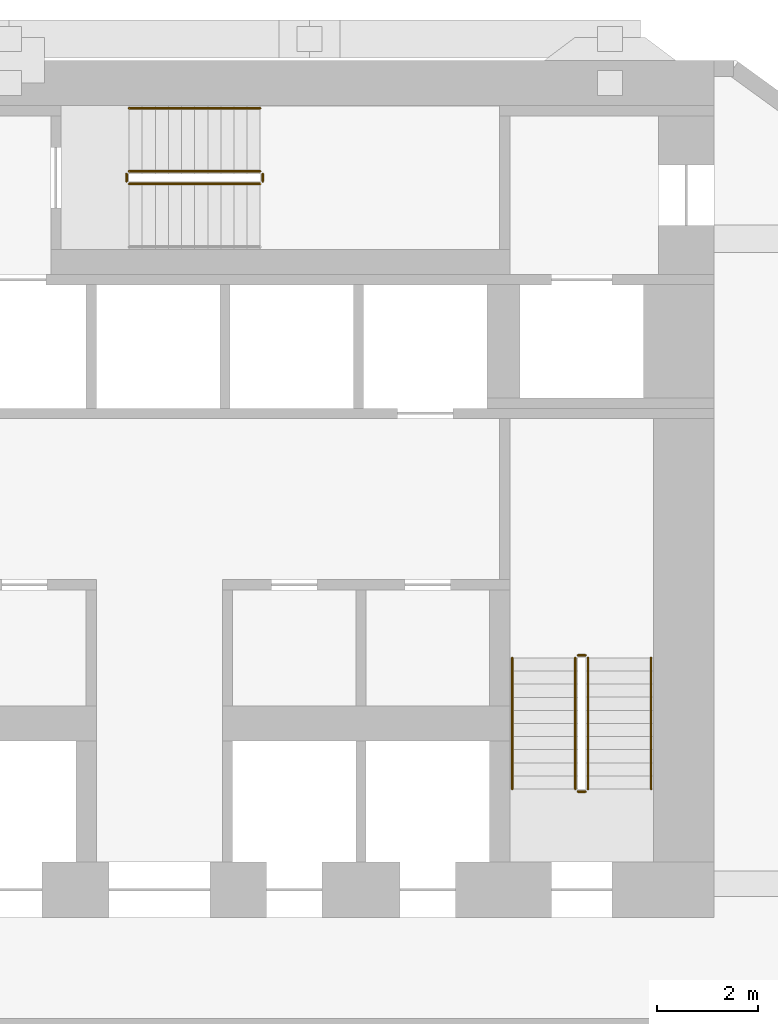
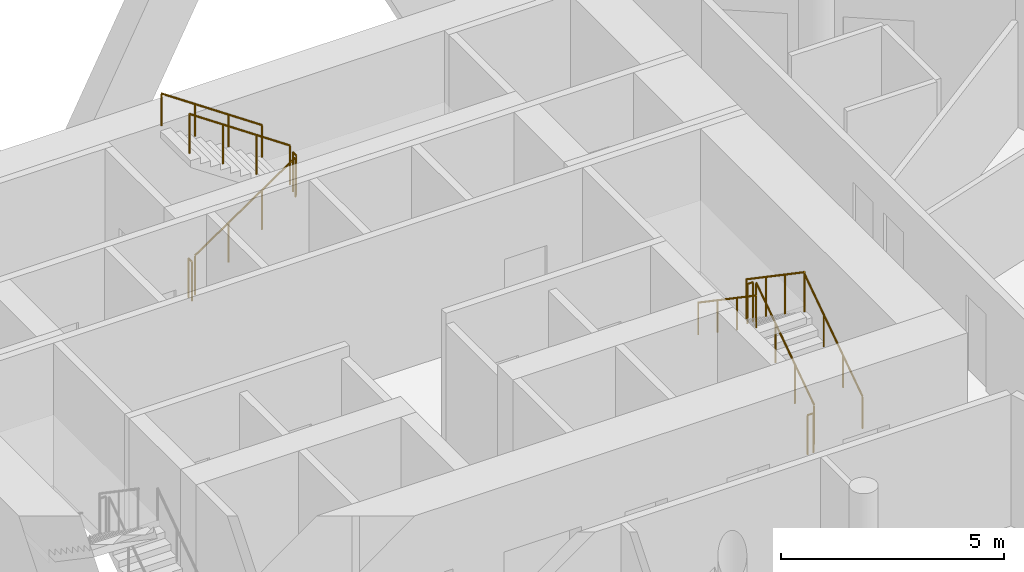
# One storey, part 11 of 11: 11 railings.
"""IFC4 building model written with IfcOpenShell, lengths in metres."""

from ifc_helpers import new_model, si_unit, direction, frame, origin, origin_2d, place, context, subcontext, project, spatial, circle, extrude, material, type_object, element, save


model = new_model("IFC4")

# Units and contexts
model_context = context("Model", 3, precision=1e-05, world=origin(), true_north=direction((0.0, 1.0)))
body_context = subcontext(model_context, "Body", "Model", "MODEL_VIEW")
ifc_project = project(units=[si_unit("LENGTHUNIT", "METRE"), si_unit("AREAUNIT", "SQUARE_METRE"), si_unit("VOLUMEUNIT", "CUBIC_METRE"), si_unit("PLANEANGLEUNIT", "RADIAN"), si_unit("MASSUNIT", "GRAM", prefix="KILO")], contexts=[model_context])

# Site, building, storey
site_placement = place(None, origin())
site = spatial("IfcSite", under=ifc_project, at=site_placement, CompositionType="ELEMENT")
building_placement = place(site_placement, origin())
building = spatial("IfcBuilding", under=site, at=building_placement, Name="White Candle Pilgrim Tower", CompositionType="ELEMENT")
storey_placement = place(building_placement, frame((0.0, 0.0, 90.800048828125)))
storey = spatial("IfcBuildingStorey", under=building, at=storey_placement, Name="L19", CompositionType="ELEMENT", Elevation=90.800048828125)

# Railings
ifc_material = material(Name="Stainless steel", Category="steel")
railing_type_1 = type_object("IfcRailingType", Name="Stair guard stainless steel 1100 mm", PredefinedType="GUARDRAIL", material=ifc_material)
railing_1_placement = place(storey_placement, frame((78.5, 73.550048828125, 0.17724609375)))
element("IfcRailing", 1, at=railing_1_placement, inside=storey, type_object=railing_type_1, Name="L19 ST2 stair guard 1", PredefinedType="GUARDRAIL", context=body_context, shape_type="SweptSolid", body=[
    extrude(circle(Radius=0.02392578125, at=origin_2d()), frame((0.0, 0.0, 1.076171875), z_axis=(0.0, 0.826215852431, 0.563353676824), x_axis=(-1.0, 0.0, 0.0)), (0.0, 0.0, 1.0), 3.146728515625),
    extrude(circle(Radius=0.02099609375, at=origin_2d()), origin(), (0.0, 0.0, 1.0), 1.052001953125),
    extrude(circle(Radius=0.02099609375, at=origin_2d()), frame((0.0, 0.86669921875, 0.5908203125)), (0.0, 0.0, 1.0), 1.052001953125),
    extrude(circle(Radius=0.02099609375, at=origin_2d()), frame((0.0, 1.733154296875, 1.181884765625)), (0.0, 0.0, 1.0), 1.052001953125),
    extrude(circle(Radius=0.02099609375, at=origin_2d()), frame((0.0, 2.599853515625, 1.772705078125)), (0.0, 0.0, 1.0), 1.052001953125),
])
railing_2_placement = place(storey_placement, frame((78.449951171875, 76.199951171875, 1.949951171875)))
element("IfcRailing", 2, at=railing_2_placement, inside=storey, type_object=railing_type_1, Name="L19 ST2 stair guard 2", PredefinedType="GUARDRAIL", context=body_context, shape_type="SweptSolid", body=[
    extrude(circle(Radius=0.02392578125, at=origin_2d()), frame((0.0, 0.0, 1.076171875), z_axis=(-1.0, 0.0, 0.0), x_axis=(0.0, -1.0, 0.0)), (0.0, 0.0, 1.0), 0.14990234375),
    extrude(circle(Radius=0.02099609375, at=origin_2d()), origin(), (0.0, 0.0, 1.0), 1.052001953125),
    extrude(circle(Radius=0.02099609375, at=origin_2d()), frame((-0.14990234375, 0.0, 0.0)), (0.0, 0.0, 1.0), 1.052001953125),
])
railing_3_placement = place(storey_placement, frame((78.25, 76.14990234375, 2.127197265625)))
element("IfcRailing", 3, at=railing_3_placement, inside=storey, type_object=railing_type_1, Name="L19 ST2 stair guard 3", PredefinedType="GUARDRAIL", context=body_context, shape_type="SweptSolid", body=[
    extrude(circle(Radius=0.02392578125, at=origin_2d()), frame((0.0, 0.0, 1.076171875), z_axis=(0.0, -0.826215852431, 0.563353676824), x_axis=(1.0, 0.0, 0.0)), (0.0, 0.0, 1.0), 3.146728515625),
    extrude(circle(Radius=0.02099609375, at=origin_2d()), origin(), (0.0, 0.0, 1.0), 1.052001953125),
    extrude(circle(Radius=0.02099609375, at=origin_2d()), frame((0.0, -0.86669921875, 0.5908203125)), (0.0, 0.0, 1.0), 1.052001953125),
    extrude(circle(Radius=0.02099609375, at=origin_2d()), frame((0.0, -1.733154296875, 1.181884765625)), (0.0, 0.0, 1.0), 1.052001953125),
    extrude(circle(Radius=0.02099609375, at=origin_2d()), frame((0.0, -2.599853515625, 1.772705078125)), (0.0, 0.0, 1.0), 1.052001953125),
])
railing_4_placement = place(storey_placement, frame((78.449951171875, 73.5, 0.0)))
element("IfcRailing", 4, at=railing_4_placement, inside=storey, type_object=railing_type_1, Name="L19 ST2 stair guard 4", PredefinedType="GUARDRAIL", context=body_context, shape_type="SweptSolid", body=[
    extrude(circle(Radius=0.02392578125, at=origin_2d()), frame((0.0, 0.0, 1.076171875), z_axis=(-1.0, 0.0, 0.0), x_axis=(0.0, -1.0, 0.0)), (0.0, 0.0, 1.0), 0.14990234375),
    extrude(circle(Radius=0.02099609375, at=origin_2d()), origin(), (0.0, 0.0, 1.0), 1.052001953125),
    extrude(circle(Radius=0.02099609375, at=origin_2d()), frame((-0.14990234375, 0.0, 0.0)), (0.0, 0.0, 1.0), 1.052001953125),
])
railing_5_placement = place(storey_placement, frame((69.39990234375, 85.550048828125, 0.17724609375)))
element("IfcRailing", 5, at=railing_5_placement, inside=storey, type_object=railing_type_1, Name="L19 ST3 stair guard 1", PredefinedType="GUARDRAIL", context=body_context, shape_type="SweptSolid", body=[
    extrude(circle(Radius=0.02392578125, at=origin_2d()), frame((0.0, 0.0, 1.076171875), z_axis=(0.826240473404, 0.0, 0.563317565952), x_axis=(0.0, 1.0, 0.0)), (0.0, 0.0, 1.0), 3.14697265625),
    extrude(circle(Radius=0.02099609375, at=origin_2d()), origin(), (0.0, 0.0, 1.0), 1.052001953125),
    extrude(circle(Radius=0.02099609375, at=origin_2d()), frame((0.86669921875, 0.0, 0.5908203125)), (0.0, 0.0, 1.0), 1.052001953125),
    extrude(circle(Radius=0.02099609375, at=origin_2d()), frame((1.7333984375, 0.0, 1.181884765625)), (0.0, 0.0, 1.0), 1.052001953125),
    extrude(circle(Radius=0.02099609375, at=origin_2d()), frame((2.60009765625, 0.0, 1.772705078125)), (0.0, 0.0, 1.0), 1.052001953125),
])
railing_6_placement = place(storey_placement, frame((72.050048828125, 85.60009765625, 1.949951171875)))
element("IfcRailing", 6, at=railing_6_placement, inside=storey, type_object=railing_type_1, Name="L19 ST3 stair guard 2", PredefinedType="GUARDRAIL", context=body_context, shape_type="SweptSolid", body=[
    extrude(circle(Radius=0.02392578125, at=origin_2d()), frame((0.0, 0.0, 1.076171875), z_axis=(0.0, 1.0, 0.0), x_axis=(-1.0, 0.0, 0.0)), (0.0, 0.0, 1.0), 0.14990234375),
    extrude(circle(Radius=0.02099609375, at=origin_2d()), origin(), (0.0, 0.0, 1.0), 1.052001953125),
    extrude(circle(Radius=0.02099609375, at=origin_2d()), frame((0.0, 0.14990234375, 0.0)), (0.0, 0.0, 1.0), 1.052001953125),
])
railing_7_placement = place(storey_placement, frame((72.0, 85.800048828125, 2.127197265625)))
element("IfcRailing", 7, at=railing_7_placement, inside=storey, type_object=railing_type_1, Name="L19 ST3 stair guard 3", PredefinedType="GUARDRAIL", context=body_context, shape_type="SweptSolid", body=[
    extrude(circle(Radius=0.02392578125, at=origin_2d()), frame((0.0, 0.0, 1.076171875), z_axis=(-0.826240473404, 0.0, 0.563317565952), x_axis=(0.0, -1.0, 0.0)), (0.0, 0.0, 1.0), 3.14697265625),
    extrude(circle(Radius=0.02099609375, at=origin_2d()), origin(), (0.0, 0.0, 1.0), 1.052001953125),
    extrude(circle(Radius=0.02099609375, at=origin_2d()), frame((-0.86669921875, 0.0, 0.5908203125)), (0.0, 0.0, 1.0), 1.052001953125),
    extrude(circle(Radius=0.02099609375, at=origin_2d()), frame((-1.7333984375, 0.0, 1.181884765625)), (0.0, 0.0, 1.0), 1.052001953125),
    extrude(circle(Radius=0.02099609375, at=origin_2d()), frame((-2.60009765625, 0.0, 1.772705078125)), (0.0, 0.0, 1.0), 1.052001953125),
])
railing_8_placement = place(storey_placement, frame((69.35009765625, 85.60009765625, 0.0)))
element("IfcRailing", 8, at=railing_8_placement, inside=storey, type_object=railing_type_1, Name="L19 ST3 stair guard 4", PredefinedType="GUARDRAIL", context=body_context, shape_type="SweptSolid", body=[
    extrude(circle(Radius=0.02392578125, at=origin_2d()), frame((0.0, 0.0, 1.076171875), z_axis=(0.0, 1.0, 0.0), x_axis=(-1.0, 0.0, 0.0)), (0.0, 0.0, 1.0), 0.14990234375),
    extrude(circle(Radius=0.02099609375, at=origin_2d()), origin(), (0.0, 0.0, 1.0), 1.052001953125),
    extrude(circle(Radius=0.02099609375, at=origin_2d()), frame((0.0, 0.14990234375, 0.0)), (0.0, 0.0, 1.0), 1.052001953125),
])
railing_type_2 = type_object("IfcRailingType", Name="Stair handrail stainless steel", PredefinedType="HANDRAIL", material=ifc_material)
railing_9_placement = place(storey_placement, frame((79.75, 73.550048828125, 0.17724609375)))
element("IfcRailing", 9, at=railing_9_placement, inside=storey, type_object=railing_type_2, Name="L19 ST2 stair handrail 1", PredefinedType="HANDRAIL", context=body_context, shape_type="SweptSolid", body=[
    extrude(circle(Radius=0.02392578125, at=origin_2d()), frame((0.0, 0.0, 0.8759765625), z_axis=(0.0, 0.826215852431, 0.563353676824), x_axis=(-1.0, 0.0, 0.0)), (0.0, 0.0, 1.0), 3.146728515625),
    extrude(circle(Radius=0.02099609375, at=origin_2d()), origin(), (0.0, 0.0, 1.0), 0.851806640625),
    extrude(circle(Radius=0.02099609375, at=origin_2d()), frame((0.0, 0.86669921875, 0.5908203125)), (0.0, 0.0, 1.0), 0.851806640625),
    extrude(circle(Radius=0.02099609375, at=origin_2d()), frame((0.0, 1.733154296875, 1.181884765625)), (0.0, 0.0, 1.0), 0.851806640625),
    extrude(circle(Radius=0.02099609375, at=origin_2d()), frame((0.0, 2.599853515625, 1.772705078125)), (0.0, 0.0, 1.0), 0.851806640625),
])
railing_10_placement = place(storey_placement, frame((77.0, 76.14990234375, 2.127197265625)))
element("IfcRailing", 10, at=railing_10_placement, inside=storey, type_object=railing_type_2, Name="L19 ST2 stair handrail 2", PredefinedType="HANDRAIL", context=body_context, shape_type="SweptSolid", body=[
    extrude(circle(Radius=0.02392578125, at=origin_2d()), frame((0.0, 0.0, 0.8759765625), z_axis=(0.0, -0.826215852431, 0.563353676824), x_axis=(1.0, 0.0, 0.0)), (0.0, 0.0, 1.0), 3.146728515625),
    extrude(circle(Radius=0.02099609375, at=origin_2d()), origin(), (0.0, 0.0, 1.0), 0.851806640625),
    extrude(circle(Radius=0.02099609375, at=origin_2d()), frame((0.0, -0.86669921875, 0.5908203125)), (0.0, 0.0, 1.0), 0.851806640625),
    extrude(circle(Radius=0.02099609375, at=origin_2d()), frame((0.0, -1.733154296875, 1.181884765625)), (0.0, 0.0, 1.0), 0.851806640625),
    extrude(circle(Radius=0.02099609375, at=origin_2d()), frame((0.0, -2.599853515625, 1.772705078125)), (0.0, 0.0, 1.0), 0.851806640625),
])
railing_11_placement = place(storey_placement, frame((72.0, 87.050048828125, 2.127197265625)))
element("IfcRailing", 11, at=railing_11_placement, inside=storey, type_object=railing_type_2, Name="L19 ST3 stair handrail 2", PredefinedType="HANDRAIL", context=body_context, shape_type="SweptSolid", body=[
    extrude(circle(Radius=0.02392578125, at=origin_2d()), frame((0.0, 0.0, 0.8759765625), z_axis=(-0.826240473404, 0.0, 0.563317565952), x_axis=(0.0, -1.0, 0.0)), (0.0, 0.0, 1.0), 3.14697265625),
    extrude(circle(Radius=0.02099609375, at=origin_2d()), origin(), (0.0, 0.0, 1.0), 0.851806640625),
    extrude(circle(Radius=0.02099609375, at=origin_2d()), frame((-0.86669921875, 0.0, 0.5908203125)), (0.0, 0.0, 1.0), 0.851806640625),
    extrude(circle(Radius=0.02099609375, at=origin_2d()), frame((-1.7333984375, 0.0, 1.181884765625)), (0.0, 0.0, 1.0), 0.851806640625),
    extrude(circle(Radius=0.02099609375, at=origin_2d()), frame((-2.60009765625, 0.0, 1.772705078125)), (0.0, 0.0, 1.0), 0.851806640625),
])

save(model, "model.ifc")
